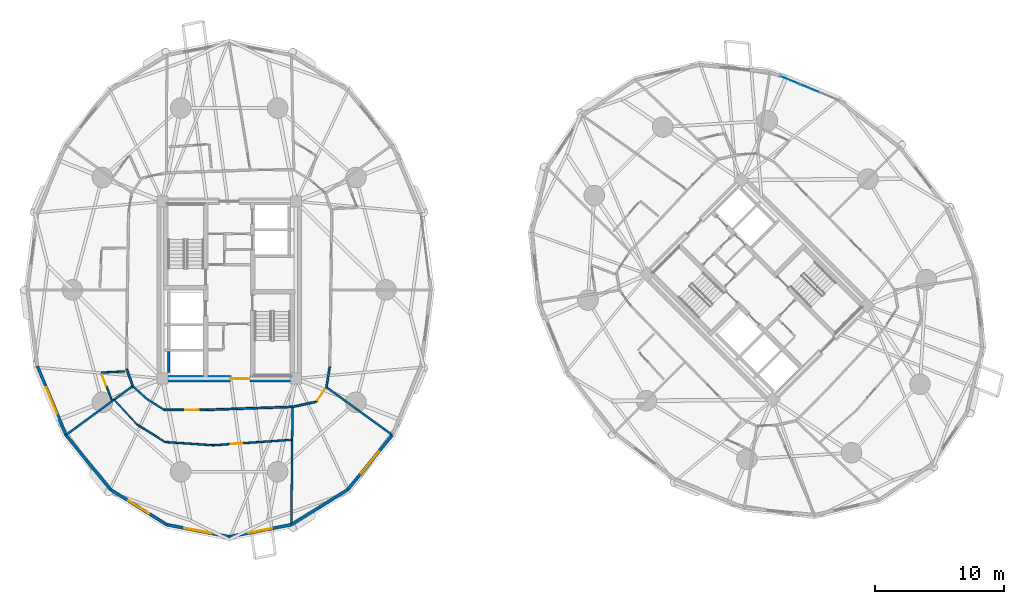
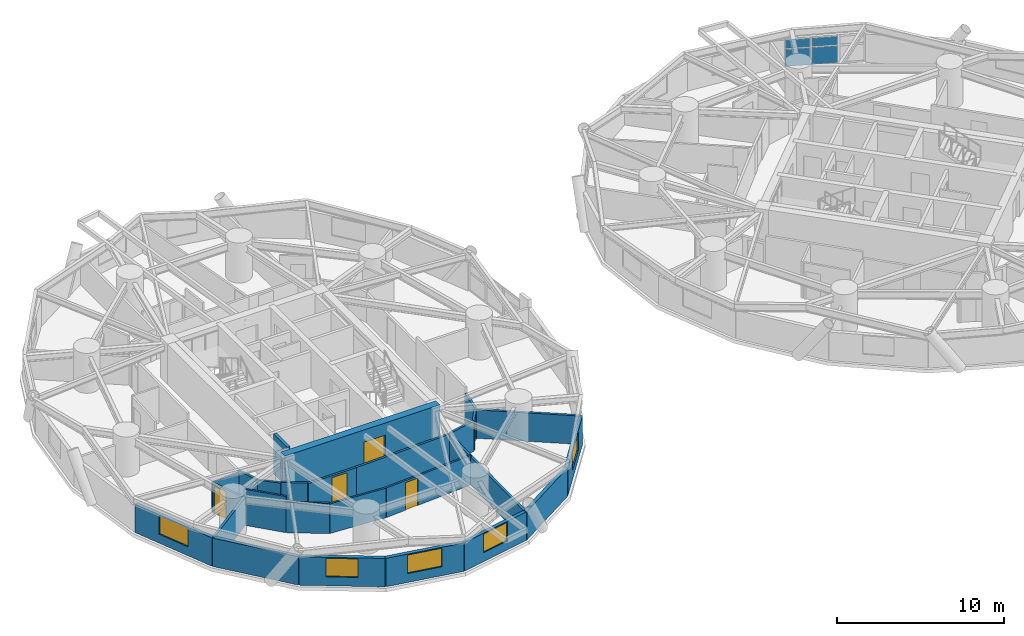
# One storey, part 9 of 18: 26 walls, 5 doors, 5 windows, 4 plates, 10 openings, 1 element without a shape of its own.
"""IFC4 building model written with IfcOpenShell, lengths in metres."""

from ifc_helpers import new_model, si_unit, direction, frame, frame_2d, origin, origin_2d, place, context, subcontext, project, spatial, rectangle, extrude, source, transform, mapped, material, layer, layer_set, type_object, element, fill, aggregate, save


model = new_model("IFC4")

# Units and contexts
model_context = context("Model", 3, precision=1e-05, world=origin(), true_north=direction((0.0, 1.0)))
body_context = subcontext(model_context, "Body", "Model", "MODEL_VIEW")
ifc_project = project(units=[si_unit("LENGTHUNIT", "METRE"), si_unit("AREAUNIT", "SQUARE_METRE"), si_unit("VOLUMEUNIT", "CUBIC_METRE"), si_unit("PLANEANGLEUNIT", "RADIAN"), si_unit("MASSUNIT", "GRAM", prefix="KILO")], contexts=[model_context])

# Site, building, storey
site_placement = place(None, origin())
site = spatial("IfcSite", under=ifc_project, at=site_placement, CompositionType="ELEMENT")
building_placement = place(site_placement, origin())
building = spatial("IfcBuilding", under=site, at=building_placement, Name="Cununo Teusaquillo Station Towers", CompositionType="ELEMENT")
storey_placement = place(building_placement, frame((0.0, 0.0, 54.010009765625)))
storey = spatial("IfcBuildingStorey", under=building, at=storey_placement, Name="L16", CompositionType="ELEMENT", Elevation=54.010009765625)

# Curtain wall, plates
ifc_material_1 = material(Name="Operable acoustic tinted low-E double glazing", Category="glass")
ifc_layer_1 = layer(ifc_material_1, 0.179931640625)
ifc_layer_set_1 = layer_set([ifc_layer_1], Name="Operable acoustic tinted low-E double glazing")
curtain_wall_type = type_object("IfcCurtainWallType", Name="CW-SYS-03", PredefinedType="USERDEFINED", material=ifc_layer_set_1)
curtain_wall_placement = place(storey_placement, origin())
curtain_wall = element("IfcCurtainWall", 1, at=curtain_wall_placement, inside=storey, type_object=curtain_wall_type, Name="L16 Tower B Facade Curtain Wall C01", ObjectType="OPERABLE GLAZING", PredefinedType="USERDEFINED")
ifc_material_2 = material(Name="Operable acoustic tinted low-E double glazing", Category="glass")
ifc_layer_2 = layer(ifc_material_2, 0.031982421875)
ifc_layer_set_2 = layer_set([ifc_layer_2], Name="Operable acoustic tinted low-E double glazing")
plate_type = type_object("IfcPlateType", Name="CWP-OPER-32", PredefinedType="CURTAIN_PANEL", material=ifc_layer_set_2)
shared_shape_1 = source(origin(), body_context, "Body", "SweptSolid", [
    extrude(rectangle(XDim=1.541259765625, YDim=0.031982421875, at=origin_2d()), origin(), (0.0, 0.0, 1.0), 1.241943359375),
])
plate_1_placement = place(storey_placement, frame((60.0556640625, 40.783447265625, 0.06982421875), z_axis=(0.0, 0.0, 1.0), x_axis=(0.924572384299, -0.381006438517, 0.0)))
plate_1 = element("IfcPlate", 2, at=plate_1_placement, type_object=plate_type, Name="CW-03 panel 1.1", PredefinedType="CURTAIN_PANEL", context=body_context, shape_type="MappedRepresentation", body=[
    mapped(shared_shape_1, transform((0.0, 0.0, 0.0), x_axis=(1.0, 0.0, 0.0), y_axis=(0.0, 1.0, 0.0), z_axis=(0.0, 0.0, 1.0), scale=1.0)),
])
shared_shape_2 = source(origin(), body_context, "Body", "SweptSolid", [
    extrude(rectangle(XDim=1.541259765625, YDim=0.031982421875, at=origin_2d()), origin(), (0.0, 0.0, 1.0), 0.62109375),
])
plate_2_placement = place(storey_placement, frame((60.0556640625, 40.783447265625, 1.3818359375), z_axis=(0.0, 0.0, 1.0), x_axis=(0.924572384299, -0.381006438517, 0.0)))
plate_2 = element("IfcPlate", 3, at=plate_2_placement, type_object=plate_type, Name="CW-03 panel 1.2", PredefinedType="CURTAIN_PANEL", context=body_context, shape_type="MappedRepresentation", body=[
    mapped(shared_shape_2, transform((0.0, 0.0, 0.0), x_axis=(1.0, 0.0, 0.0), y_axis=(0.0, 1.0, 0.0), z_axis=(0.0, 0.0, 1.0), scale=1.0)),
])
shared_shape_3 = source(origin(), body_context, "Body", "SweptSolid", [
    extrude(rectangle(XDim=1.576171875, YDim=0.031982421875, at=origin_2d()), origin(), (0.0, 0.0, 1.0), 1.241943359375),
])
plate_3_placement = place(storey_placement, frame((61.5615234375, 40.1630859375, 0.06982421875), z_axis=(0.0, 0.0, 1.0), x_axis=(0.924572384299, -0.381006438517, 0.0)))
plate_3 = element("IfcPlate", 4, at=plate_3_placement, type_object=plate_type, Name="CW-03 panel 2.1", PredefinedType="CURTAIN_PANEL", context=body_context, shape_type="MappedRepresentation", body=[
    mapped(shared_shape_3, transform((0.0, 0.0, 0.0), x_axis=(1.0, 0.0, 0.0), y_axis=(0.0, 1.0, 0.0), z_axis=(0.0, 0.0, 1.0), scale=1.0)),
])
shared_shape_4 = source(origin(), body_context, "Body", "SweptSolid", [
    extrude(rectangle(XDim=1.576171875, YDim=0.031982421875, at=origin_2d()), origin(), (0.0, 0.0, 1.0), 0.62109375),
])
plate_4_placement = place(storey_placement, frame((61.5615234375, 40.1630859375, 1.3818359375), z_axis=(0.0, 0.0, 1.0), x_axis=(0.924572384299, -0.381006438517, 0.0)))
plate_4 = element("IfcPlate", 5, at=plate_4_placement, type_object=plate_type, Name="CW-03 panel 2.2", PredefinedType="CURTAIN_PANEL", context=body_context, shape_type="MappedRepresentation", body=[
    mapped(shared_shape_4, transform((0.0, 0.0, 0.0), x_axis=(1.0, 0.0, 0.0), y_axis=(0.0, 1.0, 0.0), z_axis=(0.0, 0.0, 1.0), scale=1.0)),
])
aggregate(curtain_wall, [plate_1, plate_2, plate_3, plate_4])

# Wall
ifc_material_3 = material(Name="Concrete C50/60", Category="concrete")
ifc_layer_3 = layer(ifc_material_3, 0.199951171875)
ifc_layer_set_3 = layer_set([ifc_layer_3], Name="Concrete C50/60")
wall_type_1 = type_object("IfcWallType", Name="WL-CORE-200", PredefinedType="SHEAR", material=ifc_layer_set_3)
wall_1_placement = place(storey_placement, frame((11.820068359375, 18.070068359375, 0.0), z_axis=(0.0, 0.0, 1.0), x_axis=(0.0, 1.0, 0.0)))
element("IfcWall", 6, at=wall_1_placement, inside=storey, type_object=wall_type_1, Name="L16 Tower A High-Rise Lift 1 Shaft Rear Shear Wall", PredefinedType="SHEAR", context=body_context, shape_type="SweptSolid", body=[
    extrude(rectangle(XDim=1.635009765625, YDim=0.199951171875, at=frame_2d((0.8173828125, 0.0))), origin(), (0.0, 0.0, 1.0), 2.909912109375),
])

# Wall, opening, door
ifc_material_4 = material(Name="Concrete C60/75", Category="concrete")
ifc_layer_4 = layer(ifc_material_4, 0.5)
ifc_layer_set_4 = layer_set([ifc_layer_4], Name="Concrete C60/75")
wall_type_2 = type_object("IfcWallType", Name="WL-CORE-500", PredefinedType="SHEAR", material=ifc_layer_set_4)
wall_2_placement = place(storey_placement, frame((11.14990234375, 17.60009765625, 0.0), z_axis=(0.0, 0.0, 1.0), x_axis=(1.0, 0.0, 0.0)))
wall_2 = element("IfcWall", 7, at=wall_2_placement, inside=storey, type_object=wall_type_2, Name="L16 Tower A Core Shear Wall S", PredefinedType="SHEAR", context=body_context, shape_type="SweptSolid", body=[
    extrude(rectangle(XDim=10.7001953125, YDim=0.5, at=frame_2d((5.35009765625, 0.0))), origin(), (0.0, 0.0, 1.0), 2.909912109375),
])
shared_shape_5 = source(origin(), body_context, "Body", "SweptSolid", [
    extrude(rectangle(XDim=1.5, YDim=2.02001953125, at=frame_2d((0.75, 1.010009765625))), frame((0.0, 0.260009765625, 0.0), z_axis=(0.0, -1.0, 0.0), x_axis=(1.0, 0.0, 0.0)), (0.0, 0.0, 1.0), 0.52001953125),
])
opening_1_placement = place(wall_2_placement, frame((5.449951171875, 0.0, 0.0)))
opening_1 = element("IfcOpeningElement", 8, at=opening_1_placement, cuts=wall_2, Name="Opening D-LB1", PredefinedType="OPENING", context=body_context, shape_type="MappedRepresentation", body=[
    mapped(shared_shape_5, transform((0.0, 0.0, 0.0), x_axis=(1.0, 0.0, 0.0), y_axis=(0.0, 1.0, 0.0), z_axis=(0.0, 0.0, 1.0), scale=1.0)),
])
ifc_material_5 = material(Name="Galvanised fire-rated hollow steel door assembly", Category="steel")
door_type_1 = type_object("IfcDoorType", Name="DR-LOBBY-1500", OperationType="DOUBLE_DOOR_SINGLE_SWING", PredefinedType="DOOR", material=ifc_material_5)
shared_shape_6 = source(origin(), body_context, "Body", "SweptSolid", [
    extrude(rectangle(XDim=1.5, YDim=2.02001953125, at=frame_2d((0.75, 1.010009765625))), frame((0.0, 0.02490234375, 0.0), z_axis=(0.0, -1.0, 0.0), x_axis=(1.0, 0.0, 0.0)), (0.0, 0.0, 1.0), 0.050048828125),
])
door_1_placement = place(opening_1_placement, origin())
door_1 = element("IfcDoor", 9, at=door_1_placement, inside=storey, type_object=door_type_1, Name="L16 Tower A South Core Lift Lobby Door", OperationType="DOUBLE_DOOR_SINGLE_SWING", OverallHeight=2.02001953125, OverallWidth=1.5, PredefinedType="DOOR", context=body_context, shape_type="MappedRepresentation", body=[
    mapped(shared_shape_6, transform((0.0, 0.0, 0.0), x_axis=(1.0, 0.0, 0.0), y_axis=(0.0, 1.0, 0.0), z_axis=(0.0, 0.0, 1.0), scale=1.0)),
])
fill(opening_1, door_1)

# Wall, opening, window
ifc_material_6 = material(Name="Precast concrete C40/50", Category="concrete")
ifc_layer_5 = layer(ifc_material_6, 0.239990234375)
ifc_layer_set_5 = layer_set([ifc_layer_5], Name="Precast concrete C40/50")
wall_type_3 = type_object("IfcWallType", Name="WL-EXT-240", PredefinedType="SOLIDWALL", material=ifc_layer_set_5)
wall_3_placement = place(storey_placement, frame((3.828369140625, 13.232177734375, 0.0), z_axis=(0.0, 0.0, 1.0), x_axis=(-0.384348836956, 0.923187939442, 0.0)))
wall_3 = element("IfcWall", 10, at=wall_3_placement, inside=storey, type_object=wall_type_3, Name="L16 Tower A Exterior Facade Wall C11", PredefinedType="SOLIDWALL", context=body_context, shape_type="SweptSolid", body=[
    extrude(rectangle(XDim=5.78857421875, YDim=0.239990234375, at=frame_2d((2.894287109375, 0.0))), origin(), (0.0, 0.0, 1.0), 2.072998046875),
])
shared_shape_7 = source(origin(), body_context, "Body", "SweptSolid", [
    extrude(rectangle(XDim=2.199951171875, YDim=1.35009765625, at=frame_2d((1.10009765625, 0.675048828125))), frame((0.0, 0.1298828125, 0.0), z_axis=(0.0, -1.0, 0.0), x_axis=(1.0, 0.0, 0.0)), (0.0, 0.0, 1.0), 0.260009765625),
])
opening_2_placement = place(wall_3_placement, frame((1.7939453125, 0.0, 0.64990234375)))
opening_2 = element("IfcOpeningElement", 11, at=opening_2_placement, cuts=wall_3, Name="Opening WN-01", PredefinedType="OPENING", context=body_context, shape_type="MappedRepresentation", body=[
    mapped(shared_shape_7, transform((0.0, 0.0, 0.0), x_axis=(1.0, 0.0, 0.0), y_axis=(0.0, 1.0, 0.0), z_axis=(0.0, 0.0, 1.0), scale=1.0)),
])
ifc_material_7 = material(Name="Ceramic-fritted dark low-E double glazing", Category="glass")
window_type_1 = type_object("IfcWindowType", Name="WIN-FRIT-2200", PartitioningType="DOUBLE_PANEL_VERTICAL", PredefinedType="WINDOW", material=ifc_material_7)
shared_shape_8 = source(origin(), body_context, "Body", "SweptSolid", [
    extrude(rectangle(XDim=2.199951171875, YDim=1.35009765625, at=frame_2d((1.10009765625, 0.675048828125))), frame((0.0, 0.030029296875, 0.0), z_axis=(0.0, -1.0, 0.0), x_axis=(1.0, 0.0, 0.0)), (0.0, 0.0, 1.0), 0.06005859375),
])
window_1_placement = place(opening_2_placement, origin())
window_1 = element("IfcWindow", 12, at=window_1_placement, inside=storey, type_object=window_type_1, Name="L16 Tower A Facade Window C11", OverallHeight=1.35009765625, OverallWidth=2.199951171875, PartitioningType="DOUBLE_PANEL_VERTICAL", PredefinedType="WINDOW", context=body_context, shape_type="MappedRepresentation", body=[
    mapped(shared_shape_8, transform((0.0, 0.0, 0.0), x_axis=(1.0, 0.0, 0.0), y_axis=(0.0, 1.0, 0.0), z_axis=(0.0, 0.0, 1.0), scale=1.0)),
])
fill(opening_2, window_1)

# Wall
wall_4_placement = place(storey_placement, frame((7.29345703125, 8.9912109375, 0.0), z_axis=(0.0, 0.0, 1.0), x_axis=(-0.632713287022, 0.77438614168, 0.0)))
element("IfcWall", 13, at=wall_4_placement, inside=storey, type_object=wall_type_3, Name="L16 Tower A Exterior Facade Wall C12", PredefinedType="SOLIDWALL", context=body_context, shape_type="SweptSolid", body=[
    extrude(rectangle(XDim=5.4765625, YDim=0.239990234375, at=frame_2d((2.73828125, 0.0))), origin(), (0.0, 0.0, 1.0), 2.072998046875),
])

# Wall, opening, window
wall_5_placement = place(storey_placement, frame((11.659912109375, 6.268310546875, 0.0), z_axis=(0.0, 0.0, 1.0), x_axis=(-0.848533613342, 0.529141481107, 0.0)))
wall_5 = element("IfcWall", 14, at=wall_5_placement, inside=storey, type_object=wall_type_3, Name="L16 Tower A Exterior Facade Wall C13", PredefinedType="SOLIDWALL", context=body_context, shape_type="SweptSolid", body=[
    extrude(rectangle(XDim=5.14599609375, YDim=0.239990234375, at=frame_2d((2.572998046875, 0.0))), origin(), (0.0, 0.0, 1.0), 2.072998046875),
])
shared_shape_9 = source(origin(), body_context, "Body", "SweptSolid", [
    extrude(rectangle(XDim=1.89990234375, YDim=1.35009765625, at=frame_2d((0.949951171875, 0.675048828125))), frame((0.0, 0.1298828125, 0.0), z_axis=(0.0, -1.0, 0.0), x_axis=(1.0, 0.0, 0.0)), (0.0, 0.0, 1.0), 0.260009765625),
])
opening_3_placement = place(wall_5_placement, frame((1.623046875, 0.0, 0.64990234375)))
opening_3 = element("IfcOpeningElement", 15, at=opening_3_placement, cuts=wall_5, Name="Opening WN-02", PredefinedType="OPENING", context=body_context, shape_type="MappedRepresentation", body=[
    mapped(shared_shape_9, transform((0.0, 0.0, 0.0), x_axis=(1.0, 0.0, 0.0), y_axis=(0.0, 1.0, 0.0), z_axis=(0.0, 0.0, 1.0), scale=1.0)),
])
ifc_material_8 = material(Name="Operable acoustic tinted low-E double glazing", Category="glass")
window_type_2 = type_object("IfcWindowType", Name="WIN-OPER-1900", PartitioningType="DOUBLE_PANEL_VERTICAL", PredefinedType="WINDOW", material=ifc_material_8)
shared_shape_10 = source(origin(), body_context, "Body", "SweptSolid", [
    extrude(rectangle(XDim=1.89990234375, YDim=1.35009765625, at=frame_2d((0.949951171875, 0.675048828125))), frame((0.0, 0.030029296875, 0.0), z_axis=(0.0, -1.0, 0.0), x_axis=(1.0, 0.0, 0.0)), (0.0, 0.0, 1.0), 0.06005859375),
])
window_2_placement = place(opening_3_placement, origin())
window_2 = element("IfcWindow", 16, at=window_2_placement, inside=storey, type_object=window_type_2, Name="L16 Tower A Facade Window C13", OverallHeight=1.35009765625, OverallWidth=1.89990234375, PartitioningType="DOUBLE_PANEL_VERTICAL", PredefinedType="WINDOW", context=body_context, shape_type="MappedRepresentation", body=[
    mapped(shared_shape_10, transform((0.0, 0.0, 0.0), x_axis=(1.0, 0.0, 0.0), y_axis=(0.0, 1.0, 0.0), z_axis=(0.0, 0.0, 1.0), scale=1.0)),
])
fill(opening_3, window_2)

wall_6_placement = place(storey_placement, frame((16.5, 5.330078125, 0.0), z_axis=(0.0, 0.0, 1.0), x_axis=(-0.981725274071, 0.190303668512, 0.0)))
wall_6 = element("IfcWall", 17, at=wall_6_placement, inside=storey, type_object=wall_type_3, Name="L16 Tower A Exterior Facade Wall C14", PredefinedType="SOLIDWALL", context=body_context, shape_type="SweptSolid", body=[
    extrude(rectangle(XDim=4.93017578125, YDim=0.239990234375, at=frame_2d((2.465087890625, 0.0))), origin(), (0.0, 0.0, 1.0), 2.072998046875),
])
opening_4_placement = place(wall_6_placement, frame((1.364990234375, 0.0, 0.64990234375)))
opening_4 = element("IfcOpeningElement", 18, at=opening_4_placement, cuts=wall_6, Name="Opening WN-01", PredefinedType="OPENING", context=body_context, shape_type="MappedRepresentation", body=[
    mapped(shared_shape_7, transform((0.0, 0.0, 0.0), x_axis=(1.0, 0.0, 0.0), y_axis=(0.0, 1.0, 0.0), z_axis=(0.0, 0.0, 1.0), scale=1.0)),
])
window_3_placement = place(opening_4_placement, origin())
window_3 = element("IfcWindow", 19, at=window_3_placement, inside=storey, type_object=window_type_1, Name="L16 Tower A Facade Window C14", OverallHeight=1.35009765625, OverallWidth=2.199951171875, PartitioningType="DOUBLE_PANEL_VERTICAL", PredefinedType="WINDOW", context=body_context, shape_type="MappedRepresentation", body=[
    mapped(shared_shape_8, transform((0.0, 0.0, 0.0), x_axis=(1.0, 0.0, 0.0), y_axis=(0.0, 1.0, 0.0), z_axis=(0.0, 0.0, 1.0), scale=1.0)),
])
fill(opening_4, window_3)

wall_7_placement = place(storey_placement, frame((21.340087890625, 6.268310546875, 0.0), z_axis=(0.0, 0.0, 1.0), x_axis=(-0.981725274071, -0.190303668512, 0.0)))
wall_7 = element("IfcWall", 20, at=wall_7_placement, inside=storey, type_object=wall_type_3, Name="L16 Tower A Exterior Facade Wall C15", PredefinedType="SOLIDWALL", context=body_context, shape_type="SweptSolid", body=[
    extrude(rectangle(XDim=4.93017578125, YDim=0.239990234375, at=frame_2d((2.465087890625, 0.0))), origin(), (0.0, 0.0, 1.0), 2.072998046875),
])
opening_5_placement = place(wall_7_placement, frame((1.514892578125, 0.0, 0.64990234375)))
opening_5 = element("IfcOpeningElement", 21, at=opening_5_placement, cuts=wall_7, Name="Opening WN-02", PredefinedType="OPENING", context=body_context, shape_type="MappedRepresentation", body=[
    mapped(shared_shape_9, transform((0.0, 0.0, 0.0), x_axis=(1.0, 0.0, 0.0), y_axis=(0.0, 1.0, 0.0), z_axis=(0.0, 0.0, 1.0), scale=1.0)),
])
window_4_placement = place(opening_5_placement, origin())
window_4 = element("IfcWindow", 22, at=window_4_placement, inside=storey, type_object=window_type_2, Name="L16 Tower A Facade Window C15", OverallHeight=1.35009765625, OverallWidth=1.89990234375, PartitioningType="DOUBLE_PANEL_VERTICAL", PredefinedType="WINDOW", context=body_context, shape_type="MappedRepresentation", body=[
    mapped(shared_shape_10, transform((0.0, 0.0, 0.0), x_axis=(1.0, 0.0, 0.0), y_axis=(0.0, 1.0, 0.0), z_axis=(0.0, 0.0, 1.0), scale=1.0)),
])
fill(opening_5, window_4)

# Wall
wall_8_placement = place(storey_placement, frame((25.70654296875, 8.9912109375, 0.0), z_axis=(0.0, 0.0, 1.0), x_axis=(-0.848533613342, -0.529141481107, 0.0)))
element("IfcWall", 23, at=wall_8_placement, inside=storey, type_object=wall_type_3, Name="L16 Tower A Exterior Facade Wall C16", PredefinedType="SOLIDWALL", context=body_context, shape_type="SweptSolid", body=[
    extrude(rectangle(XDim=5.14599609375, YDim=0.239990234375, at=frame_2d((2.572998046875, 0.0))), origin(), (0.0, 0.0, 1.0), 2.072998046875),
])

# Wall, opening, window
wall_9_placement = place(storey_placement, frame((29.171630859375, 13.232177734375, 0.0), z_axis=(0.0, 0.0, 1.0), x_axis=(-0.632713287022, -0.77438614168, 0.0)))
wall_9 = element("IfcWall", 24, at=wall_9_placement, inside=storey, type_object=wall_type_3, Name="L16 Tower A Exterior Facade Wall C17", PredefinedType="SOLIDWALL", context=body_context, shape_type="SweptSolid", body=[
    extrude(rectangle(XDim=5.4765625, YDim=0.239990234375, at=frame_2d((2.73828125, 0.0))), origin(), (0.0, 0.0, 1.0), 2.072998046875),
])
opening_6_placement = place(wall_9_placement, frame((1.637939453125, 0.0, 0.64990234375)))
opening_6 = element("IfcOpeningElement", 25, at=opening_6_placement, cuts=wall_9, Name="Opening WN-01", PredefinedType="OPENING", context=body_context, shape_type="MappedRepresentation", body=[
    mapped(shared_shape_7, transform((0.0, 0.0, 0.0), x_axis=(1.0, 0.0, 0.0), y_axis=(0.0, 1.0, 0.0), z_axis=(0.0, 0.0, 1.0), scale=1.0)),
])
window_5_placement = place(opening_6_placement, origin())
window_5 = element("IfcWindow", 26, at=window_5_placement, inside=storey, type_object=window_type_1, Name="L16 Tower A Facade Window C17", OverallHeight=1.35009765625, OverallWidth=2.199951171875, PartitioningType="DOUBLE_PANEL_VERTICAL", PredefinedType="WINDOW", context=body_context, shape_type="MappedRepresentation", body=[
    mapped(shared_shape_8, transform((0.0, 0.0, 0.0), x_axis=(1.0, 0.0, 0.0), y_axis=(0.0, 1.0, 0.0), z_axis=(0.0, 0.0, 1.0), scale=1.0)),
])
fill(opening_6, window_5)

# Wall
ifc_material_9 = material(Name="Fire-rated gypsum plasterboard partition assembly", Category="gypsum")
ifc_layer_6 = layer(ifc_material_9, 0.125)
ifc_layer_set_6 = layer_set([ifc_layer_6], Name="Fire-rated gypsum plasterboard partition assembly")
wall_type_4 = type_object("IfcWallType", Name="WL-PART-125", PredefinedType="PARTITIONING", material=ifc_layer_set_6)
wall_10_placement = place(storey_placement, frame((8.404296875, 18.173095703125, 0.0), z_axis=(0.0, 0.0, 1.0), x_axis=(-0.998640999178, -0.052116741655, 0.0)))
element("IfcWall", 27, at=wall_10_placement, inside=storey, type_object=wall_type_4, Name="L16 Tower A S06 En-suite Side Wall", PredefinedType="PARTITIONING", context=body_context, shape_type="SweptSolid", body=[
    extrude(rectangle(XDim=1.85498046875, YDim=0.125, at=frame_2d((0.927490234375, 0.0))), origin(), (0.0, 0.0, 1.0), 2.205078125),
])

# Wall, opening, door
wall_11_placement = place(storey_placement, frame((6.5771484375, 18.01220703125, 0.0), z_axis=(0.0, 0.0, 1.0), x_axis=(0.366179258149, -0.930544330433, 0.0)))
wall_11 = element("IfcWall", 28, at=wall_11_placement, inside=storey, type_object=wall_type_4, Name="L16 Tower A S06 En-suite Back Wall", PredefinedType="PARTITIONING", context=body_context, shape_type="SweptSolid", body=[
    extrude(rectangle(XDim=2.20751953125, YDim=0.125, at=frame_2d((1.103759765625, 0.0))), origin(), (0.0, 0.0, 1.0), 2.158935546875),
])
shared_shape_11 = source(origin(), body_context, "Body", "SweptSolid", [
    extrude(rectangle(XDim=0.89990234375, YDim=2.0048828125, at=frame_2d((0.449951171875, 1.00244140625))), frame((0.0, 0.072509765625, 0.0), z_axis=(0.0, -1.0, 0.0), x_axis=(1.0, 0.0, 0.0)), (0.0, 0.0, 1.0), 0.14501953125),
])
opening_7_placement = place(wall_11_placement, frame((0.1201171875, 0.0, 0.0)))
opening_7 = element("IfcOpeningElement", 29, at=opening_7_placement, cuts=wall_11, Name="Opening D-IN1", PredefinedType="OPENING", context=body_context, shape_type="MappedRepresentation", body=[
    mapped(shared_shape_11, transform((0.0, 0.0, 0.0), x_axis=(1.0, 0.0, 0.0), y_axis=(0.0, 1.0, 0.0), z_axis=(0.0, 0.0, 1.0), scale=1.0)),
])
ifc_material_10 = material(Name="Acoustic solid-core hardwood leaf assembly", Category="wood")
door_type_2 = type_object("IfcDoorType", Name="DR-INT-900", OperationType="NOTDEFINED", PredefinedType="DOOR", material=ifc_material_10)
shared_shape_12 = source(origin(), body_context, "Body", "SweptSolid", [
    extrude(rectangle(XDim=0.89990234375, YDim=2.0048828125, at=frame_2d((0.449951171875, 1.00244140625))), frame((0.0, 0.02490234375, 0.0), z_axis=(0.0, -1.0, 0.0), x_axis=(1.0, 0.0, 0.0)), (0.0, 0.0, 1.0), 0.050048828125),
])
door_2_placement = place(opening_7_placement, origin())
door_2 = element("IfcDoor", 30, at=door_2_placement, inside=storey, type_object=door_type_2, Name="L16 Tower A S06 En-suite Bathroom Door", OperationType="SINGLE_SWING_RIGHT", OverallHeight=2.0048828125, OverallWidth=0.89990234375, PredefinedType="DOOR", context=body_context, shape_type="MappedRepresentation", body=[
    mapped(shared_shape_12, transform((0.0, 0.0, 0.0), x_axis=(1.0, 0.0, 0.0), y_axis=(0.0, 1.0, 0.0), z_axis=(0.0, 0.0, 1.0), scale=1.0)),
])
fill(opening_7, door_2)

# Walls
wall_12_placement = place(storey_placement, frame((7.56396484375, 15.97314453125, 0.0), z_axis=(0.0, 0.0, 1.0), x_axis=(0.678576389573, -0.734529838409, 0.0)))
element("IfcWall", 31, at=wall_12_placement, inside=storey, type_object=wall_type_4, Name="L16 Tower A Hotel Sommelier & Wine Salon Concentric Partition Wall C12", PredefinedType="PARTITIONING", context=body_context, shape_type="SweptSolid", body=[
    extrude(rectangle(XDim=2.6005859375, YDim=0.125, at=frame_2d((1.30029296875, 0.0))), origin(), (0.0, 0.0, 1.0), 2.635009765625),
])
wall_13_placement = place(storey_placement, frame((9.32861328125, 14.06298828125, 0.0), z_axis=(0.0, 0.0, 1.0), x_axis=(0.846882074778, -0.531780736225, 0.0)))
element("IfcWall", 32, at=wall_13_placement, inside=storey, type_object=wall_type_4, Name="L16 Tower A Hotel Sommelier & Wine Salon Concentric Partition Wall C13", PredefinedType="PARTITIONING", context=body_context, shape_type="SweptSolid", body=[
    extrude(rectangle(XDim=2.584716796875, YDim=0.125, at=frame_2d((1.29248046875, 0.0))), origin(), (0.0, 0.0, 1.0), 2.205078125),
])
wall_14_placement = place(storey_placement, frame((11.517578125, 12.6884765625, 0.0), z_axis=(0.0, 0.0, 1.0), x_axis=(0.997722259414, -0.067455860152, 0.0)))
element("IfcWall", 33, at=wall_14_placement, inside=storey, type_object=wall_type_4, Name="L16 Tower A Hotel Sommelier & Wine Salon Concentric Partition Wall C14", PredefinedType="PARTITIONING", context=body_context, shape_type="SweptSolid", body=[
    extrude(rectangle(XDim=3.753173828125, YDim=0.125, at=frame_2d((1.87646484375, 0.0))), origin(), (0.0, 0.0, 1.0), 2.158935546875),
])

# Wall, opening, door
wall_15_placement = place(storey_placement, frame((15.26220703125, 12.435302734375, 0.0), z_axis=(0.0, 0.0, 1.0), x_axis=(0.997593149667, 0.069339077998, 0.0)))
wall_15 = element("IfcWall", 34, at=wall_15_placement, inside=storey, type_object=wall_type_4, Name="L16 Tower A Hotel Sommelier & Wine Salon Concentric Partition Wall C15", PredefinedType="PARTITIONING", context=body_context, shape_type="SweptSolid", body=[
    extrude(rectangle(XDim=6.147705078125, YDim=0.125, at=frame_2d((3.07373046875, 0.0))), origin(), (0.0, 0.0, 1.0), 2.158935546875),
])
opening_8_placement = place(wall_15_placement, frame((1.371826171875, 0.0, 0.0)))
opening_8 = element("IfcOpeningElement", 35, at=opening_8_placement, cuts=wall_15, Name="Opening D-IN1", PredefinedType="OPENING", context=body_context, shape_type="MappedRepresentation", body=[
    mapped(shared_shape_11, transform((0.0, 0.0, 0.0), x_axis=(1.0, 0.0, 0.0), y_axis=(0.0, 1.0, 0.0), z_axis=(0.0, 0.0, 1.0), scale=1.0)),
])
door_3_placement = place(opening_8_placement, origin())
door_3 = element("IfcDoor", 36, at=door_3_placement, inside=storey, type_object=door_type_2, Name="L16 Tower A Hotel Sommelier & Wine Salon Connecting Door", OperationType="SINGLE_SWING_RIGHT", OverallHeight=2.0048828125, OverallWidth=0.89990234375, PredefinedType="DOOR", context=body_context, shape_type="MappedRepresentation", body=[
    mapped(shared_shape_12, transform((0.0, 0.0, 0.0), x_axis=(1.0, 0.0, 0.0), y_axis=(0.0, 1.0, 0.0), z_axis=(0.0, 0.0, 1.0), scale=1.0)),
])
fill(opening_8, door_3)

# Walls
ifc_material_11 = material(Name="Fire-rated gypsum plasterboard partition assembly", Category="gypsum")
ifc_layer_7 = layer(ifc_material_11, 0.14990234375)
ifc_layer_set_7 = layer_set([ifc_layer_7], Name="Fire-rated gypsum plasterboard partition assembly")
wall_type_5 = type_object("IfcWallType", Name="WL-PART-150", PredefinedType="PARTITIONING", material=ifc_layer_set_7)
wall_16_placement = place(storey_placement, frame((8.538330078125, 18.37060546875, 0.0), z_axis=(0.0, 0.0, 1.0), x_axis=(0.3330273821, -0.942917155837, 0.0)))
element("IfcWall", 37, at=wall_16_placement, inside=storey, type_object=wall_type_5, Name="L16 Tower A Corridor Ring Wall C11", PredefinedType="PARTITIONING", context=body_context, shape_type="SweptSolid", body=[
    extrude(rectangle(XDim=1.4169921875, YDim=0.14990234375, at=frame_2d((0.70849609375, 0.0))), origin(), (0.0, 0.0, 1.0), 2.205078125),
])
wall_17_placement = place(storey_placement, frame((9.01025390625, 17.034423828125, 0.0), z_axis=(0.0, 0.0, 1.0), x_axis=(0.739733009791, -0.672900493554, 0.0)))
element("IfcWall", 38, at=wall_17_placement, inside=storey, type_object=wall_type_5, Name="L16 Tower A Corridor Ring Wall C12", PredefinedType="PARTITIONING", context=body_context, shape_type="SweptSolid", body=[
    extrude(rectangle(XDim=1.494140625, YDim=0.14990234375, at=frame_2d((0.7470703125, 0.0))), origin(), (0.0, 0.0, 1.0), 2.158935546875),
])
wall_18_placement = place(storey_placement, frame((10.115478515625, 16.029052734375, 0.0), z_axis=(0.0, 0.0, 1.0), x_axis=(0.844897677802, -0.534927952201, 0.0)))
element("IfcWall", 39, at=wall_18_placement, inside=storey, type_object=wall_type_5, Name="L16 Tower A Corridor Ring Wall C13", PredefinedType="PARTITIONING", context=body_context, shape_type="SweptSolid", body=[
    extrude(rectangle(XDim=1.591064453125, YDim=0.14990234375, at=frame_2d((0.79541015625, 0.0))), origin(), (0.0, 0.0, 1.0), 2.205078125),
])

# Wall, opening, door
wall_19_placement = place(storey_placement, frame((11.459716796875, 15.177978515625, 0.0), z_axis=(0.0, 0.0, 1.0), x_axis=(0.999992694689, 0.003822377251, 0.0)))
wall_19 = element("IfcWall", 40, at=wall_19_placement, inside=storey, type_object=wall_type_5, Name="L16 Tower A Corridor Ring Wall C14", PredefinedType="PARTITIONING", context=body_context, shape_type="SweptSolid", body=[
    extrude(rectangle(XDim=3.3212890625, YDim=0.14990234375, at=frame_2d((1.66064453125, 0.0))), origin(), (0.0, 0.0, 1.0), 2.158935546875),
])
shared_shape_13 = source(origin(), body_context, "Body", "SweptSolid", [
    extrude(rectangle(XDim=1.050048828125, YDim=2.014892578125, at=frame_2d((0.52490234375, 1.00732421875))), frame((0.0, 0.0849609375, 0.0), z_axis=(0.0, -1.0, 0.0), x_axis=(1.0, 0.0, 0.0)), (0.0, 0.0, 1.0), 0.169921875),
])
opening_9_placement = place(wall_19_placement, frame((1.643310546875, 0.0, 0.0)))
opening_9 = element("IfcOpeningElement", 41, at=opening_9_placement, cuts=wall_19, Name="Opening D-SU1", PredefinedType="OPENING", context=body_context, shape_type="MappedRepresentation", body=[
    mapped(shared_shape_13, transform((0.0, 0.0, 0.0), x_axis=(1.0, 0.0, 0.0), y_axis=(0.0, 1.0, 0.0), z_axis=(0.0, 0.0, 1.0), scale=1.0)),
])
ifc_material_12 = material(Name="Acoustic solid-core hardwood leaf assembly", Category="wood")
door_type_3 = type_object("IfcDoorType", Name="DR-SUITE-1050", OperationType="NOTDEFINED", PredefinedType="DOOR", material=ifc_material_12)
shared_shape_14 = source(origin(), body_context, "Body", "SweptSolid", [
    extrude(rectangle(XDim=1.050048828125, YDim=2.014892578125, at=frame_2d((0.52490234375, 1.00732421875))), frame((0.0, 0.02490234375, 0.0), z_axis=(0.0, -1.0, 0.0), x_axis=(1.0, 0.0, 0.0)), (0.0, 0.0, 1.0), 0.050048828125),
])
door_4_placement = place(opening_9_placement, origin())
door_4 = element("IfcDoor", 42, at=door_4_placement, inside=storey, type_object=door_type_3, Name="L16 Tower A Hotel Sommelier & Wine Salon Entrance Door", OperationType="SINGLE_SWING_LEFT", OverallHeight=2.014892578125, OverallWidth=1.050048828125, PredefinedType="DOOR", context=body_context, shape_type="MappedRepresentation", body=[
    mapped(shared_shape_14, transform((0.0, 0.0, 0.0), x_axis=(1.0, 0.0, 0.0), y_axis=(0.0, 1.0, 0.0), z_axis=(0.0, 0.0, 1.0), scale=1.0)),
])
fill(opening_9, door_4)

# Walls
wall_20_placement = place(storey_placement, frame((14.781005859375, 15.190673828125, 0.0), z_axis=(0.0, 0.0, 1.0), x_axis=(0.999412963972, 0.034259705842, 0.0)))
element("IfcWall", 43, at=wall_20_placement, inside=storey, type_object=wall_type_5, Name="L16 Tower A Corridor Ring Wall C15", PredefinedType="PARTITIONING", context=body_context, shape_type="SweptSolid", body=[
    extrude(rectangle(XDim=6.6416015625, YDim=0.14990234375, at=frame_2d((3.32080078125, 0.0))), origin(), (0.0, 0.0, 1.0), 2.158935546875),
])
wall_21_placement = place(storey_placement, frame((21.418701171875, 15.418212890625, 0.0), z_axis=(0.0, 0.0, 1.0), x_axis=(0.977540384091, 0.210748184977, 0.0)))
element("IfcWall", 44, at=wall_21_placement, inside=storey, type_object=wall_type_5, Name="L16 Tower A Corridor Ring Wall C16", PredefinedType="PARTITIONING", context=body_context, shape_type="SweptSolid", body=[
    extrude(rectangle(XDim=1.88720703125, YDim=0.14990234375, at=frame_2d((0.943603515625, 0.0))), origin(), (0.0, 0.0, 1.0), 2.205078125),
])

# Wall, opening, door
wall_22_placement = place(storey_placement, frame((23.263427734375, 15.81591796875, 0.0), z_axis=(0.0, 0.0, 1.0), x_axis=(0.572652947117, 0.819797903241, 0.0)))
wall_22 = element("IfcWall", 45, at=wall_22_placement, inside=storey, type_object=wall_type_5, Name="L16 Tower A Corridor Ring Wall C17", PredefinedType="PARTITIONING", context=body_context, shape_type="SweptSolid", body=[
    extrude(rectangle(XDim=1.376953125, YDim=0.14990234375, at=frame_2d((0.6884765625, 0.0))), origin(), (0.0, 0.0, 1.0), 2.158935546875),
])
opening_10_placement = place(wall_22_placement, frame((0.147216796875, 0.0, 0.0)))
opening_10 = element("IfcOpeningElement", 46, at=opening_10_placement, cuts=wall_22, Name="Opening D-SU1", PredefinedType="OPENING", context=body_context, shape_type="MappedRepresentation", body=[
    mapped(shared_shape_13, transform((0.0, 0.0, 0.0), x_axis=(1.0, 0.0, 0.0), y_axis=(0.0, 1.0, 0.0), z_axis=(0.0, 0.0, 1.0), scale=1.0)),
])
door_5_placement = place(opening_10_placement, origin())
door_5 = element("IfcDoor", 47, at=door_5_placement, inside=storey, type_object=door_type_3, Name="L16 Tower A Hotel Housekeeping & Linen Pantry Entrance Door", OperationType="SINGLE_SWING_LEFT", OverallHeight=2.014892578125, OverallWidth=1.050048828125, PredefinedType="DOOR", context=body_context, shape_type="MappedRepresentation", body=[
    mapped(shared_shape_14, transform((0.0, 0.0, 0.0), x_axis=(1.0, 0.0, 0.0), y_axis=(0.0, 1.0, 0.0), z_axis=(0.0, 0.0, 1.0), scale=1.0)),
])
fill(opening_10, door_5)

# Walls
wall_23_placement = place(storey_placement, frame((24.052001953125, 16.94482421875, 0.0), z_axis=(0.0, 0.0, 1.0), x_axis=(0.162869842843, 0.986647563364, 0.0)))
element("IfcWall", 48, at=wall_23_placement, inside=storey, type_object=wall_type_5, Name="L16 Tower A Corridor Ring Wall C18", PredefinedType="PARTITIONING", context=body_context, shape_type="SweptSolid", body=[
    extrude(rectangle(XDim=1.60546875, YDim=0.14990234375, at=frame_2d((0.802734375, 0.0))), origin(), (0.0, 0.0, 1.0), 2.205078125),
])
ifc_material_13 = material(Name="Fire-rated gypsum plasterboard partition assembly", Category="gypsum")
ifc_layer_8 = layer(ifc_material_13, 0.159912109375)
ifc_layer_set_8 = layer_set([ifc_layer_8], Name="Fire-rated gypsum plasterboard partition assembly")
wall_type_6 = type_object("IfcWallType", Name="WL-PART-160", PredefinedType="PARTITIONING", material=ifc_layer_set_8)
wall_24_placement = place(storey_placement, frame((9.01025390625, 17.034423828125, 0.0), z_axis=(0.0, 0.0, 1.0), x_axis=(-0.806234156757, -0.591596555499, 0.0)))
element("IfcWall", 49, at=wall_24_placement, inside=storey, type_object=wall_type_6, Name="L16 Tower A Radial Suite Partition R07", PredefinedType="PARTITIONING", context=body_context, shape_type="SweptSolid", body=[
    extrude(rectangle(XDim=6.4072265625, YDim=0.159912109375, at=frame_2d((3.20361328125, 0.0))), origin(), (0.0, 0.0, 1.0), 2.072998046875),
])
wall_25_placement = place(storey_placement, frame((21.418701171875, 15.418212890625, 0.0), z_axis=(0.0, 0.0, 1.0), x_axis=(-0.009277675551, -0.999956961442, 0.0)))
element("IfcWall", 50, at=wall_25_placement, inside=storey, type_object=wall_type_6, Name="L16 Tower A Radial Suite Partition R08", PredefinedType="PARTITIONING", context=body_context, shape_type="SweptSolid", body=[
    extrude(rectangle(XDim=9.13134765625, YDim=0.159912109375, at=frame_2d((4.565673828125, 0.0))), origin(), (0.0, 0.0, 1.0), 2.072998046875),
])
wall_26_placement = place(storey_placement, frame((24.052001953125, 16.94482421875, 0.0), z_axis=(0.0, 0.0, 1.0), x_axis=(0.809544185493, -0.587058950817, 0.0)))
element("IfcWall", 51, at=wall_26_placement, inside=storey, type_object=wall_type_6, Name="L16 Tower A Radial Suite Partition R09", PredefinedType="PARTITIONING", context=body_context, shape_type="SweptSolid", body=[
    extrude(rectangle(XDim=6.30419921875, YDim=0.159912109375, at=frame_2d((3.152099609375, 0.0))), origin(), (0.0, 0.0, 1.0), 2.072998046875),
])

save(model, "model.ifc")
